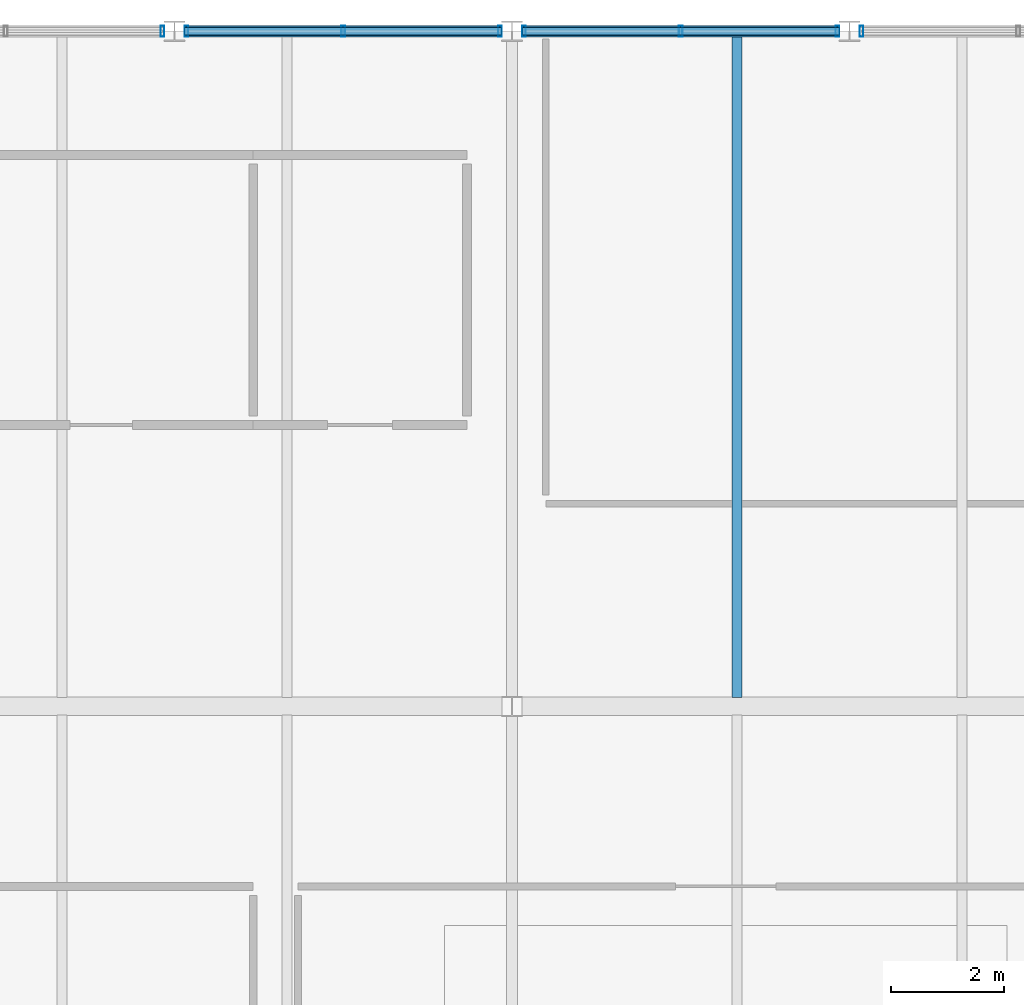
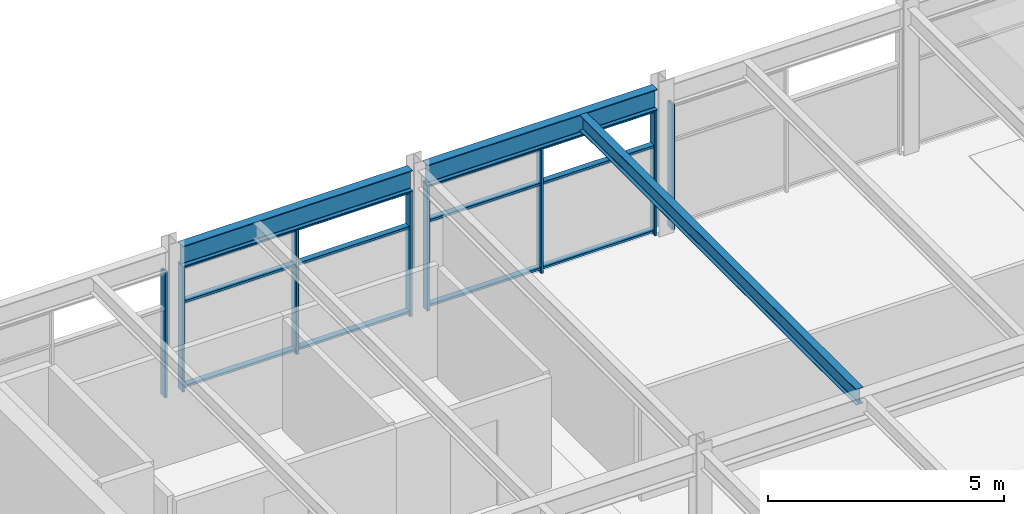
# One storey, part 10 of 23: 14 members, 3 beams, 4 elements without a shape of their own.
"""IFC4 building model written with IfcOpenShell, lengths in metres."""

from ifc_helpers import new_model, si_unit, direction, frame, origin, origin_2d, place, context, subcontext, project, spatial, hollow_rectangle, i_section, extrude, material, material_profile, profile_set, type_object, element, aggregate, save


model = new_model("IFC4")

# Units and contexts
model_context = context("Model", 3, precision=1e-05, world=origin(), true_north=direction((0.0, 1.0)))
body_context = subcontext(model_context, "Body", "Model", "MODEL_VIEW")
ifc_project = project(units=[si_unit("LENGTHUNIT", "METRE"), si_unit("AREAUNIT", "SQUARE_METRE"), si_unit("VOLUMEUNIT", "CUBIC_METRE"), si_unit("PLANEANGLEUNIT", "RADIAN"), si_unit("MASSUNIT", "GRAM", prefix="KILO")], contexts=[model_context])

# Site, building, storey
site_placement = place(None, origin())
site = spatial("IfcSite", under=ifc_project, at=site_placement, CompositionType="ELEMENT")
building_placement = place(site_placement, origin())
building = spatial("IfcBuilding", under=site, at=building_placement, Name="Girod Span Mobility Hub", CompositionType="ELEMENT")
storey_placement = place(building_placement, frame((0.0, 0.0, 65.60009765625)))
storey = spatial("IfcBuildingStorey", under=building, at=storey_placement, Name="L16", CompositionType="ELEMENT", Elevation=65.60009765625)

# Beams
ifc_material_1 = material(Name="Steel A992 Grade 50", Category="steel")
ifc_material_profile_1 = material_profile(ifc_material_1, i_section(OverallWidth=0.178955078125, OverallDepth=0.409912109375, WebThickness=0.0087890625, FlangeThickness=0.014404296875, FilletRadius=0.012939453125, at=origin_2d()), Name="W16X45")
ifc_profile_set_1 = profile_set([ifc_material_profile_1], Name="Steel A992 Grade 50")
beam_type_1 = type_object("IfcBeamType", Name="BM-STL-W16X45", PredefinedType="BEAM", material=ifc_profile_set_1)
beam_placement = place(storey_placement, frame((76.0, 57.158935546875, 3.5849609375), z_axis=(0.0, 1.0, 0.0), x_axis=(-1.0, 0.0, 0.0)))
element("IfcBeam", 1, at=beam_placement, inside=storey, type_object=beam_type_1, Name="Composite Floorbeam 7/E-1 L16", PredefinedType="BEAM", context=body_context, shape_type="SweptSolid", body=[
    extrude(i_section(OverallWidth=0.178955078125, OverallDepth=0.409912109375, WebThickness=0.0087890625, FlangeThickness=0.014404296875, FilletRadius=0.012939453125, at=origin_2d()), origin(), (0.0, 0.0, 1.0), 11.738037109375),
])
ifc_material_2 = material(Name="Steel A992 Grade 50", Category="steel")
ifc_material_profile_2 = material_profile(ifc_material_2, i_section(OverallWidth=0.2119140625, OverallDepth=0.5439453125, WebThickness=0.01318359375, FlangeThickness=0.021240234375, FilletRadius=0.014892578125, at=origin_2d()), Name="W21X83")
ifc_profile_set_2 = profile_set([ifc_material_profile_2], Name="Steel A992 Grade 50")
beam_type_2 = type_object("IfcBeamType", Name="BM-STL-W21X83", PredefinedType="SPANDREL", material=ifc_profile_set_2)
for number, where, z_axis, x_axis, name in (
    (2, (66.181396484375, 69.0, 3.517822265625), (1.0, 0.0, 0.0), (0.0, 1.0, 0.0), "Spandrel Beam 6-7/F-E L16"),
    (3, (72.181396484375, 69.0, 3.517822265625), (1.0, 0.0, 0.0), (0.0, 1.0, 0.0), "Spandrel Beam 7-8/F-W L16"),
):
    element("IfcBeam", number, at=place(storey_placement, frame(where, z_axis=z_axis, x_axis=x_axis)), inside=storey, type_object=beam_type_2, Name=name, PredefinedType="SPANDREL", context=body_context, shape_type="SweptSolid", body=[
        extrude(i_section(OverallWidth=0.2119140625, OverallDepth=0.5439453125, WebThickness=0.01318359375, FlangeThickness=0.021240234375, FilletRadius=0.014892578125, at=origin_2d()), origin(), (0.0, 0.0, 1.0), 5.63720703125),
    ])

# Curtain wall, member
ifc_material_3 = material(Name="Thermally Broken Anodised Aluminium", Category="aluminium")
curtain_wall_type = type_object("IfcCurtainWallType", Name="CW-564X325", PredefinedType="USERDEFINED", material=ifc_material_3)
curtain_wall_1_placement = place(storey_placement, origin())
curtain_wall_1 = element("IfcCurtainWall", 4, at=curtain_wall_1_placement, inside=storey, type_object=curtain_wall_type, Name="Unitised Curtain Wall CW-L16-N06W L16", ObjectType="UNITISED CURTAIN WALL", PredefinedType="USERDEFINED")
ifc_material_4 = material(Name="Thermally Broken Anodised Aluminium", Category="aluminium")
ifc_material_profile_3 = material_profile(ifc_material_4, hollow_rectangle(XDim=0.199951171875, YDim=0.06494140625, WallThickness=0.00390625, InnerFilletRadius=0.00390625, OuterFilletRadius=0.008056640625, at=origin_2d()), Name="CW-ML-65X200")
ifc_profile_set_3 = profile_set([ifc_material_profile_3], Name="Thermally Broken Anodised Aluminium")
member_type_1 = type_object("IfcMemberType", Name="CWM-ML-1", PredefinedType="MULLION", material=ifc_profile_set_3)
member_1_placement = place(storey_placement, frame((65.785400390625, 69.0, 0.0), z_axis=(0.0, 0.0, 1.0), x_axis=(0.0, 1.0, 0.0)))
member_1 = element("IfcMember", 5, at=member_1_placement, type_object=member_type_1, Name="Curtain Wall Mullion CW-L16-N06W-M2", PredefinedType="MULLION", context=body_context, shape_type="SweptSolid", body=[
    extrude(hollow_rectangle(XDim=0.199951171875, YDim=0.06494140625, WallThickness=0.00390625, InnerFilletRadius=0.00390625, OuterFilletRadius=0.008056640625, at=origin_2d()), origin(), (0.0, 0.0, 1.0), 3.245849609375),
])
aggregate(curtain_wall_1, [member_1])

# Curtain wall, members
curtain_wall_2_placement = place(storey_placement, origin())
curtain_wall_2 = element("IfcCurtainWall", 6, at=curtain_wall_2_placement, inside=storey, type_object=curtain_wall_type, Name="Unitised Curtain Wall CW-L16-N06E L16", ObjectType="UNITISED CURTAIN WALL", PredefinedType="USERDEFINED")
member_2_placement = place(storey_placement, frame((66.214599609375, 69.0, 0.0), z_axis=(0.0, 0.0, 1.0), x_axis=(0.0, 1.0, 0.0)))
member_2 = element("IfcMember", 7, at=member_2_placement, type_object=member_type_1, Name="Curtain Wall Mullion CW-L16-N06E-M0", PredefinedType="MULLION", context=body_context, shape_type="SweptSolid", body=[
    extrude(hollow_rectangle(XDim=0.199951171875, YDim=0.06494140625, WallThickness=0.00390625, InnerFilletRadius=0.00390625, OuterFilletRadius=0.008056640625, at=origin_2d()), origin(), (0.0, 0.0, 1.0), 3.245849609375),
])
member_3_placement = place(storey_placement, frame((69.0, 69.0, 0.0), z_axis=(0.0, 0.0, 1.0), x_axis=(0.0, 1.0, 0.0)))
member_3 = element("IfcMember", 8, at=member_3_placement, type_object=member_type_1, Name="Curtain Wall Mullion CW-L16-N06E-M1", PredefinedType="MULLION", context=body_context, shape_type="SweptSolid", body=[
    extrude(hollow_rectangle(XDim=0.199951171875, YDim=0.06494140625, WallThickness=0.00390625, InnerFilletRadius=0.00390625, OuterFilletRadius=0.008056640625, at=origin_2d()), origin(), (0.0, 0.0, 1.0), 3.245849609375),
])
member_4_placement = place(storey_placement, frame((71.785400390625, 69.0, 0.0), z_axis=(0.0, 0.0, 1.0), x_axis=(0.0, 1.0, 0.0)))
member_4 = element("IfcMember", 9, at=member_4_placement, type_object=member_type_1, Name="Curtain Wall Mullion CW-L16-N06E-M2", PredefinedType="MULLION", context=body_context, shape_type="SweptSolid", body=[
    extrude(hollow_rectangle(XDim=0.199951171875, YDim=0.06494140625, WallThickness=0.00390625, InnerFilletRadius=0.00390625, OuterFilletRadius=0.008056640625, at=origin_2d()), origin(), (0.0, 0.0, 1.0), 3.245849609375),
])

curtain_wall_3_placement = place(storey_placement, origin())
curtain_wall_3 = element("IfcCurtainWall", 10, at=curtain_wall_3_placement, inside=storey, type_object=curtain_wall_type, Name="Unitised Curtain Wall CW-L16-N07W L16", ObjectType="UNITISED CURTAIN WALL", PredefinedType="USERDEFINED")
member_5_placement = place(storey_placement, frame((72.214599609375, 69.0, 0.0), z_axis=(0.0, 0.0, 1.0), x_axis=(0.0, 1.0, 0.0)))
member_5 = element("IfcMember", 11, at=member_5_placement, type_object=member_type_1, Name="Curtain Wall Mullion CW-L16-N07W-M0", PredefinedType="MULLION", context=body_context, shape_type="SweptSolid", body=[
    extrude(hollow_rectangle(XDim=0.199951171875, YDim=0.06494140625, WallThickness=0.00390625, InnerFilletRadius=0.00390625, OuterFilletRadius=0.008056640625, at=origin_2d()), origin(), (0.0, 0.0, 1.0), 3.245849609375),
])
member_6_placement = place(storey_placement, frame((75.0, 69.0, 0.0), z_axis=(0.0, 0.0, 1.0), x_axis=(0.0, 1.0, 0.0)))
member_6 = element("IfcMember", 12, at=member_6_placement, type_object=member_type_1, Name="Curtain Wall Mullion CW-L16-N07W-M1", PredefinedType="MULLION", context=body_context, shape_type="SweptSolid", body=[
    extrude(hollow_rectangle(XDim=0.199951171875, YDim=0.06494140625, WallThickness=0.00390625, InnerFilletRadius=0.00390625, OuterFilletRadius=0.008056640625, at=origin_2d()), origin(), (0.0, 0.0, 1.0), 3.245849609375),
])
member_7_placement = place(storey_placement, frame((77.785400390625, 69.0, 0.0), z_axis=(0.0, 0.0, 1.0), x_axis=(0.0, 1.0, 0.0)))
member_7 = element("IfcMember", 13, at=member_7_placement, type_object=member_type_1, Name="Curtain Wall Mullion CW-L16-N07W-M2", PredefinedType="MULLION", context=body_context, shape_type="SweptSolid", body=[
    extrude(hollow_rectangle(XDim=0.199951171875, YDim=0.06494140625, WallThickness=0.00390625, InnerFilletRadius=0.00390625, OuterFilletRadius=0.008056640625, at=origin_2d()), origin(), (0.0, 0.0, 1.0), 3.245849609375),
])

# Curtain wall, member
curtain_wall_4_placement = place(storey_placement, origin())
curtain_wall_4 = element("IfcCurtainWall", 14, at=curtain_wall_4_placement, inside=storey, type_object=curtain_wall_type, Name="Unitised Curtain Wall CW-L16-N07E L16", ObjectType="UNITISED CURTAIN WALL", PredefinedType="USERDEFINED")
member_8_placement = place(storey_placement, frame((78.214599609375, 69.0, 0.0), z_axis=(0.0, 0.0, 1.0), x_axis=(0.0, 1.0, 0.0)))
member_8 = element("IfcMember", 15, at=member_8_placement, type_object=member_type_1, Name="Curtain Wall Mullion CW-L16-N07E-M0", PredefinedType="MULLION", context=body_context, shape_type="SweptSolid", body=[
    extrude(hollow_rectangle(XDim=0.199951171875, YDim=0.06494140625, WallThickness=0.00390625, InnerFilletRadius=0.00390625, OuterFilletRadius=0.008056640625, at=origin_2d()), origin(), (0.0, 0.0, 1.0), 3.245849609375),
])
aggregate(curtain_wall_4, [member_8])

# Member
ifc_material_5 = material(Name="Thermally Broken Anodised Aluminium", Category="aluminium")
ifc_material_profile_4 = material_profile(ifc_material_5, hollow_rectangle(XDim=0.14990234375, YDim=0.06494140625, WallThickness=0.00390625, InnerFilletRadius=0.00390625, OuterFilletRadius=0.008056640625, at=origin_2d()), Name="CW-TR-65X150")
ifc_profile_set_4 = profile_set([ifc_material_profile_4], Name="Thermally Broken Anodised Aluminium")
member_type_2 = type_object("IfcMemberType", Name="CWM-TR-1", PredefinedType="USERDEFINED", material=ifc_profile_set_4)
member_9_placement = place(storey_placement, frame((66.1826171875, 69.0, 0.107421875), z_axis=(1.0, 0.0, 0.0), x_axis=(0.0, 1.0, 0.0)))
member_9 = element("IfcMember", 16, at=member_9_placement, type_object=member_type_2, Name="Curtain Wall Transom CW-L16-N06E-T1", ObjectType="TRANSOM", PredefinedType="USERDEFINED", context=body_context, shape_type="SweptSolid", body=[
    extrude(hollow_rectangle(XDim=0.14990234375, YDim=0.06494140625, WallThickness=0.00390625, InnerFilletRadius=0.00390625, OuterFilletRadius=0.008056640625, at=origin_2d()), origin(), (0.0, 0.0, 1.0), 5.634765625),
])

member_10_placement = place(storey_placement, frame((66.1826171875, 69.0, 2.304443359375), z_axis=(1.0, 0.0, 0.0), x_axis=(0.0, 1.0, 0.0)))
member_10 = element("IfcMember", 17, at=member_10_placement, type_object=member_type_2, Name="Curtain Wall Transom CW-L16-N06E-T2", ObjectType="TRANSOM", PredefinedType="USERDEFINED", context=body_context, shape_type="SweptSolid", body=[
    extrude(hollow_rectangle(XDim=0.14990234375, YDim=0.06494140625, WallThickness=0.00390625, InnerFilletRadius=0.00390625, OuterFilletRadius=0.008056640625, at=origin_2d()), origin(), (0.0, 0.0, 1.0), 5.634765625),
])

member_11_placement = place(storey_placement, frame((66.1826171875, 69.0, 3.21337890625), z_axis=(1.0, 0.0, 0.0), x_axis=(0.0, 1.0, 0.0)))
member_11 = element("IfcMember", 18, at=member_11_placement, type_object=member_type_2, Name="Curtain Wall Transom CW-L16-N06E-T3", ObjectType="TRANSOM", PredefinedType="USERDEFINED", context=body_context, shape_type="SweptSolid", body=[
    extrude(hollow_rectangle(XDim=0.14990234375, YDim=0.06494140625, WallThickness=0.00390625, InnerFilletRadius=0.00390625, OuterFilletRadius=0.008056640625, at=origin_2d()), origin(), (0.0, 0.0, 1.0), 5.634765625),
])

aggregate(curtain_wall_2, [member_2, member_3, member_4, member_9, member_10, member_11])

member_12_placement = place(storey_placement, frame((72.1826171875, 69.0, 0.107421875), z_axis=(1.0, 0.0, 0.0), x_axis=(0.0, 1.0, 0.0)))
member_12 = element("IfcMember", 19, at=member_12_placement, type_object=member_type_2, Name="Curtain Wall Transom CW-L16-N07W-T1", ObjectType="TRANSOM", PredefinedType="USERDEFINED", context=body_context, shape_type="SweptSolid", body=[
    extrude(hollow_rectangle(XDim=0.14990234375, YDim=0.06494140625, WallThickness=0.00390625, InnerFilletRadius=0.00390625, OuterFilletRadius=0.008056640625, at=origin_2d()), origin(), (0.0, 0.0, 1.0), 5.634765625),
])

member_13_placement = place(storey_placement, frame((72.1826171875, 69.0, 2.304443359375), z_axis=(1.0, 0.0, 0.0), x_axis=(0.0, 1.0, 0.0)))
member_13 = element("IfcMember", 20, at=member_13_placement, type_object=member_type_2, Name="Curtain Wall Transom CW-L16-N07W-T2", ObjectType="TRANSOM", PredefinedType="USERDEFINED", context=body_context, shape_type="SweptSolid", body=[
    extrude(hollow_rectangle(XDim=0.14990234375, YDim=0.06494140625, WallThickness=0.00390625, InnerFilletRadius=0.00390625, OuterFilletRadius=0.008056640625, at=origin_2d()), origin(), (0.0, 0.0, 1.0), 5.634765625),
])

member_14_placement = place(storey_placement, frame((72.1826171875, 69.0, 3.21337890625), z_axis=(1.0, 0.0, 0.0), x_axis=(0.0, 1.0, 0.0)))
member_14 = element("IfcMember", 21, at=member_14_placement, type_object=member_type_2, Name="Curtain Wall Transom CW-L16-N07W-T3", ObjectType="TRANSOM", PredefinedType="USERDEFINED", context=body_context, shape_type="SweptSolid", body=[
    extrude(hollow_rectangle(XDim=0.14990234375, YDim=0.06494140625, WallThickness=0.00390625, InnerFilletRadius=0.00390625, OuterFilletRadius=0.008056640625, at=origin_2d()), origin(), (0.0, 0.0, 1.0), 5.634765625),
])

aggregate(curtain_wall_3, [member_5, member_6, member_7, member_12, member_13, member_14])

save(model, "model.ifc")
